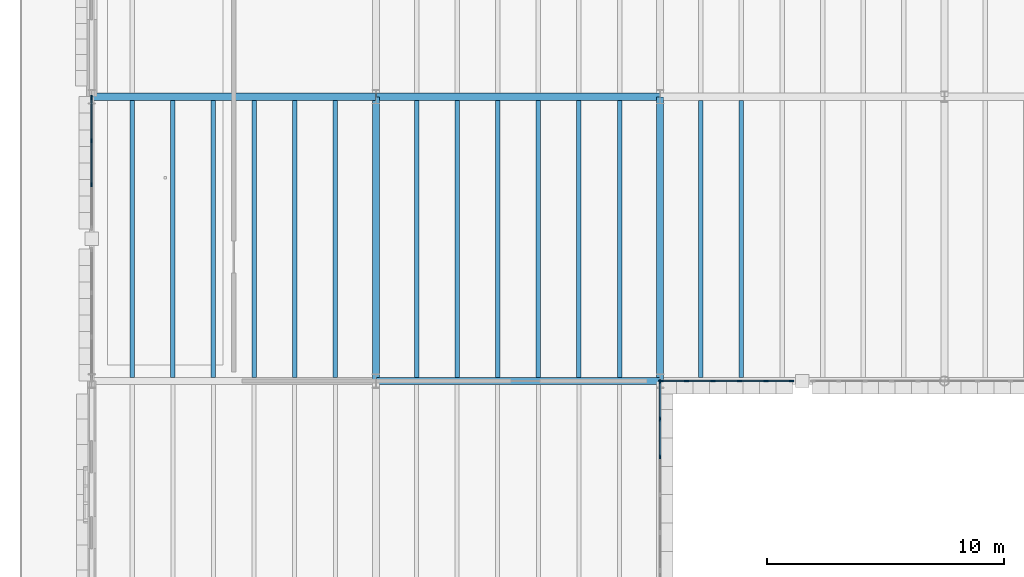
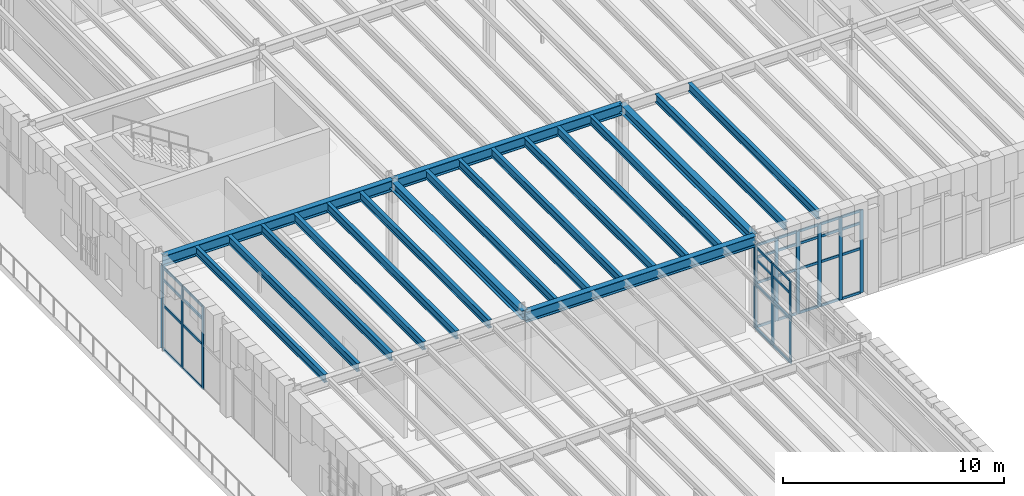
# One storey, part 18 of 103: 48 members, 19 beams, 3 elements without a shape of their own.
"""IFC4 building model written with IfcOpenShell, lengths in metres."""

from ifc_helpers import new_model, si_unit, direction, frame, origin, origin_2d, place, context, subcontext, project, spatial, rectangle, i_section, extrude, material, layer, layer_set, material_profile, profile_set, type_object, element, aggregate, save


model = new_model("IFC4")

# Units and contexts
model_context = context("Model", 3, precision=1e-05, world=origin(), true_north=direction((0.0, 1.0)))
body_context = subcontext(model_context, "Body", "Model", "MODEL_VIEW")
ifc_project = project(units=[si_unit("LENGTHUNIT", "METRE"), si_unit("AREAUNIT", "SQUARE_METRE"), si_unit("VOLUMEUNIT", "CUBIC_METRE"), si_unit("PLANEANGLEUNIT", "RADIAN"), si_unit("MASSUNIT", "GRAM", prefix="KILO")], contexts=[model_context])

# Site, building, storey
site_placement = place(None, origin())
site = spatial("IfcSite", under=ifc_project, at=site_placement, CompositionType="ELEMENT")
building_placement = place(site_placement, origin())
building = spatial("IfcBuilding", under=site, at=building_placement, Name="Zlatogorsky Bluff Art Gallery", CompositionType="ELEMENT")
storey_placement = place(building_placement, origin())
storey = spatial("IfcBuildingStorey", under=building, at=storey_placement, Name="L00", CompositionType="ELEMENT", Elevation=0.0)

# Beams
ifc_material_1 = material(Name="Steel S355", Category="steel")
ifc_material_profile_1 = material_profile(ifc_material_1, i_section(OverallWidth=0.300048828125, OverallDepth=0.590087890625, WebThickness=0.012939453125, FlangeThickness=0.02490234375, FilletRadius=0.027099609375, at=origin_2d()), Name="HEA 600")
ifc_profile_set_1 = profile_set([ifc_material_profile_1], Name="Steel S355")
beam_type_1 = type_object("IfcBeamType", Name="Beam BM-05 HEA 600", PredefinedType="BEAM", material=ifc_profile_set_1)
for number, where, z_axis, x_axis, name in (
    (1, (0.014892578125, 96.0, 4.844970703125), (1.0, 0.0, 0.0), (0.0, 1.0, 0.0), "Primary girder BM-05 L00 A-B/10"),
    (2, (12.014892578125, 84.0, 4.844970703125), (1.0, 0.0, 0.0), (0.0, 1.0, 0.0), "Primary girder BM-05 L00 B-C/9"),
    (3, (12.014892578125, 96.0, 4.844970703125), (1.0, 0.0, 0.0), (0.0, 1.0, 0.0), "Primary girder BM-05 L00 B-C/10"),
):
    element("IfcBeam", number, at=place(storey_placement, frame(where, z_axis=z_axis, x_axis=x_axis)), inside=storey, type_object=beam_type_1, Name=name, PredefinedType="BEAM", context=body_context, shape_type="SweptSolid", body=[
        extrude(i_section(OverallWidth=0.300048828125, OverallDepth=0.590087890625, WebThickness=0.012939453125, FlangeThickness=0.02490234375, FilletRadius=0.027099609375, at=origin_2d()), origin(), (0.0, 0.0, 1.0), 11.97021484375),
    ])
ifc_material_profile_2 = material_profile(ifc_material_1, i_section(OverallWidth=0.300048828125, OverallDepth=0.489990234375, WebThickness=0.011962890625, FlangeThickness=0.02294921875, FilletRadius=0.027099609375, at=origin_2d()), Name="HEA 500")
ifc_profile_set_2 = profile_set([ifc_material_profile_2], Name="Steel S355")
beam_type_2 = type_object("IfcBeamType", Name="Beam BM-07 HEA 500", PredefinedType="BEAM", material=ifc_profile_set_2)
for number, where, z_axis, x_axis, name in (
    (4, (12.0, 84.014892578125, 4.89501953125), (0.0, 1.0, 0.0), (-1.0, 0.0, 0.0), "Primary girder BM-07 L00 B/9-10"),
    (5, (24.0, 84.014892578125, 4.89501953125), (0.0, 1.0, 0.0), (-1.0, 0.0, 0.0), "Primary girder BM-07 L00 C/9-10"),
):
    element("IfcBeam", number, at=place(storey_placement, frame(where, z_axis=z_axis, x_axis=x_axis)), inside=storey, type_object=beam_type_2, Name=name, PredefinedType="BEAM", context=body_context, shape_type="SweptSolid", body=[
        extrude(i_section(OverallWidth=0.300048828125, OverallDepth=0.489990234375, WebThickness=0.011962890625, FlangeThickness=0.02294921875, FilletRadius=0.027099609375, at=origin_2d()), origin(), (0.0, 0.0, 1.0), 11.97021484375),
    ])
ifc_material_profile_3 = material_profile(ifc_material_1, i_section(OverallWidth=0.18994140625, OverallDepth=0.449951171875, WebThickness=0.009521484375, FlangeThickness=0.0146484375, FilletRadius=0.02099609375, at=origin_2d()), Name="IPE 450")
ifc_profile_set_3 = profile_set([ifc_material_profile_3], Name="Steel S355")
beam_type_3 = type_object("IfcBeamType", Name="Beam JS-06 IPE 450", PredefinedType="JOIST", material=ifc_profile_set_3)
for number, where, z_axis, x_axis, name in (
    (6, (1.71435546875, 84.14990234375, 4.9150390625), (0.0, 1.0, 0.0), (-1.0, 0.0, 0.0), "Composite floor joist JS-06 L00 00.08.1"),
    (7, (3.428466796875, 84.14990234375, 4.9150390625), (0.0, 1.0, 0.0), (-1.0, 0.0, 0.0), "Composite floor joist JS-06 L00 00.08.2"),
    (8, (5.142822265625, 84.14990234375, 4.9150390625), (0.0, 1.0, 0.0), (-1.0, 0.0, 0.0), "Composite floor joist JS-06 L00 00.08.3"),
    (9, (6.857177734375, 84.14990234375, 4.9150390625), (0.0, 1.0, 0.0), (-1.0, 0.0, 0.0), "Composite floor joist JS-06 L00 00.08.4"),
    (10, (8.571533203125, 84.14990234375, 4.9150390625), (0.0, 1.0, 0.0), (-1.0, 0.0, 0.0), "Composite floor joist JS-06 L00 00.08.5"),
    (11, (10.28564453125, 84.14990234375, 4.9150390625), (0.0, 1.0, 0.0), (-1.0, 0.0, 0.0), "Composite floor joist JS-06 L00 00.08.6"),
    (12, (13.71435546875, 84.14990234375, 4.9150390625), (0.0, 1.0, 0.0), (-1.0, 0.0, 0.0), "Composite floor joist JS-06 L00 01.08.1"),
    (13, (15.428466796875, 84.14990234375, 4.9150390625), (0.0, 1.0, 0.0), (-1.0, 0.0, 0.0), "Composite floor joist JS-06 L00 01.08.2"),
    (14, (17.142822265625, 84.14990234375, 4.9150390625), (0.0, 1.0, 0.0), (-1.0, 0.0, 0.0), "Composite floor joist JS-06 L00 01.08.3"),
    (15, (18.857177734375, 84.14990234375, 4.9150390625), (0.0, 1.0, 0.0), (-1.0, 0.0, 0.0), "Composite floor joist JS-06 L00 01.08.4"),
    (16, (20.571533203125, 84.14990234375, 4.9150390625), (0.0, 1.0, 0.0), (-1.0, 0.0, 0.0), "Composite floor joist JS-06 L00 01.08.5"),
    (17, (22.28564453125, 84.14990234375, 4.9150390625), (0.0, 1.0, 0.0), (-1.0, 0.0, 0.0), "Composite floor joist JS-06 L00 01.08.6"),
    (18, (25.71435546875, 84.14990234375, 4.9150390625), (0.0, 1.0, 0.0), (-1.0, 0.0, 0.0), "Composite floor joist JS-06 L00 02.08.1"),
    (19, (27.428466796875, 84.14990234375, 4.9150390625), (0.0, 1.0, 0.0), (-1.0, 0.0, 0.0), "Composite floor joist JS-06 L00 02.08.2"),
):
    element("IfcBeam", number, at=place(storey_placement, frame(where, z_axis=z_axis, x_axis=x_axis)), inside=storey, type_object=beam_type_3, Name=name, PredefinedType="JOIST", context=body_context, shape_type="SweptSolid", body=[
        extrude(i_section(OverallWidth=0.18994140625, OverallDepth=0.449951171875, WebThickness=0.009521484375, FlangeThickness=0.0146484375, FilletRadius=0.02099609375, at=origin_2d()), origin(), (0.0, 0.0, 1.0), 11.7001953125),
    ])

# Curtain wall, members
ifc_material_2 = material(Name="Anodised Bronze Aluminium and Low-Iron Triple Glazing", Category="aluminium")
ifc_layer_1 = layer(ifc_material_2, 0.219970703125)
ifc_layer_set_1 = layer_set([ifc_layer_1], Name="Curtain Wall CW-04")
curtain_wall_type_1 = type_object("IfcCurtainWallType", Name="Curtain Wall CW-04", PredefinedType="USERDEFINED", material=ifc_layer_set_1)
curtain_wall_1_placement = place(storey_placement, origin())
curtain_wall_1 = element("IfcCurtainWall", 20, at=curtain_wall_1_placement, inside=storey, type_object=curtain_wall_type_1, Name="Unitised curtain wall CW-04 L00 W 0.8-A", ObjectType="CURTAIN WALL", PredefinedType="USERDEFINED")
ifc_material_3 = material(Name="Anodised Bronze Aluminium", Category="aluminium")
ifc_material_profile_4 = material_profile(ifc_material_3, rectangle(XDim=0.06494140625, YDim=0.179931640625, at=origin_2d()), Name="ALU MULLION 65x180")
ifc_profile_set_4 = profile_set([ifc_material_profile_4], Name="Anodised Bronze Aluminium")
member_type_1 = type_object("IfcMemberType", Name="Curtain Mullion ML-01", PredefinedType="MULLION", material=ifc_profile_set_4)
member_1_placement = place(storey_placement, frame((0.0, 95.967529296875, 0.0), z_axis=(0.0, 0.0, 1.0), x_axis=(1.0, 0.0, 0.0)))
member_1 = element("IfcMember", 21, at=member_1_placement, type_object=member_type_1, Name="CW-04 mullion 1", PredefinedType="MULLION", context=body_context, shape_type="SweptSolid", body=[
    extrude(rectangle(XDim=0.06494140625, YDim=0.179931640625, at=origin_2d()), origin(), (0.0, 0.0, 1.0), 4.56005859375),
])
member_2_placement = place(storey_placement, frame((0.0, 94.139892578125, 0.0), z_axis=(0.0, 0.0, 1.0), x_axis=(1.0, 0.0, 0.0)))
member_2 = element("IfcMember", 22, at=member_2_placement, type_object=member_type_1, Name="CW-04 mullion 2", PredefinedType="MULLION", context=body_context, shape_type="SweptSolid", body=[
    extrude(rectangle(XDim=0.06494140625, YDim=0.179931640625, at=origin_2d()), origin(), (0.0, 0.0, 1.0), 4.56005859375),
])
member_3_placement = place(storey_placement, frame((0.0, 92.280029296875, 0.0), z_axis=(0.0, 0.0, 1.0), x_axis=(1.0, 0.0, 0.0)))
member_3 = element("IfcMember", 23, at=member_3_placement, type_object=member_type_1, Name="CW-04 mullion 3", PredefinedType="MULLION", context=body_context, shape_type="SweptSolid", body=[
    extrude(rectangle(XDim=0.06494140625, YDim=0.179931640625, at=origin_2d()), origin(), (0.0, 0.0, 1.0), 4.56005859375),
])

ifc_layer_2 = layer(ifc_material_2, 0.199951171875)
ifc_layer_set_2 = layer_set([ifc_layer_2], Name="Curtain Wall CW-02")
curtain_wall_type_2 = type_object("IfcCurtainWallType", Name="Curtain Wall CW-02", PredefinedType="USERDEFINED", material=ifc_layer_set_2)
curtain_wall_2_placement = place(storey_placement, origin())
curtain_wall_2 = element("IfcCurtainWall", 24, at=curtain_wall_2_placement, inside=storey, type_object=curtain_wall_type_2, Name="Unitised curtain wall CW-02 L00 E 1.7", ObjectType="CURTAIN WALL", PredefinedType="USERDEFINED")
member_4_placement = place(storey_placement, frame((24.0, 80.800048828125, 0.0), z_axis=(0.0, 0.0, 1.0), x_axis=(-1.0, 0.0, 0.0)))
member_4 = element("IfcMember", 25, at=member_4_placement, type_object=member_type_1, Name="CW-02 mullion 5", PredefinedType="MULLION", context=body_context, shape_type="SweptSolid", body=[
    extrude(rectangle(XDim=0.06494140625, YDim=0.179931640625, at=origin_2d()), origin(), (0.0, 0.0, 1.0), 4.56005859375),
])
member_5_placement = place(storey_placement, frame((24.0, 82.39990234375, 0.0), z_axis=(0.0, 0.0, 1.0), x_axis=(-1.0, 0.0, 0.0)))
member_5 = element("IfcMember", 26, at=member_5_placement, type_object=member_type_1, Name="CW-02 mullion 6", PredefinedType="MULLION", context=body_context, shape_type="SweptSolid", body=[
    extrude(rectangle(XDim=0.06494140625, YDim=0.179931640625, at=origin_2d()), origin(), (0.0, 0.0, 1.0), 4.56005859375),
])
member_6_placement = place(storey_placement, frame((24.0, 83.967529296875, 0.0), z_axis=(0.0, 0.0, 1.0), x_axis=(-1.0, 0.0, 0.0)))
member_6 = element("IfcMember", 27, at=member_6_placement, type_object=member_type_1, Name="CW-02 mullion 7", PredefinedType="MULLION", context=body_context, shape_type="SweptSolid", body=[
    extrude(rectangle(XDim=0.06494140625, YDim=0.179931640625, at=origin_2d()), origin(), (0.0, 0.0, 1.0), 4.56005859375),
])

ifc_layer_3 = layer(ifc_material_2, 0.179931640625)
ifc_layer_set_3 = layer_set([ifc_layer_3], Name="Curtain Wall CW-03")
curtain_wall_type_3 = type_object("IfcCurtainWallType", Name="Curtain Wall CW-03", PredefinedType="USERDEFINED", material=ifc_layer_set_3)
curtain_wall_3_placement = place(storey_placement, origin())
curtain_wall_3 = element("IfcCurtainWall", 28, at=curtain_wall_3_placement, inside=storey, type_object=curtain_wall_type_3, Name="Unitised curtain wall CW-03 L00 S 2.8-A", ObjectType="CURTAIN WALL", PredefinedType="USERDEFINED")
member_7_placement = place(storey_placement, frame((24.032470703125, 84.0, 0.0), z_axis=(0.0, 0.0, 1.0), x_axis=(0.0, 1.0, 0.0)))
member_7 = element("IfcMember", 29, at=member_7_placement, type_object=member_type_1, Name="CW-03 mullion 1", PredefinedType="MULLION", context=body_context, shape_type="SweptSolid", body=[
    extrude(rectangle(XDim=0.06494140625, YDim=0.179931640625, at=origin_2d()), origin(), (0.0, 0.0, 1.0), 4.56005859375),
])
member_8_placement = place(storey_placement, frame((25.115966796875, 84.0, 0.0), z_axis=(0.0, 0.0, 1.0), x_axis=(0.0, 1.0, 0.0)))
member_8 = element("IfcMember", 30, at=member_8_placement, type_object=member_type_1, Name="CW-03 mullion 2", PredefinedType="MULLION", context=body_context, shape_type="SweptSolid", body=[
    extrude(rectangle(XDim=0.06494140625, YDim=0.179931640625, at=origin_2d()), origin(), (0.0, 0.0, 1.0), 4.56005859375),
])
member_9_placement = place(storey_placement, frame((26.23193359375, 84.0, 0.0), z_axis=(0.0, 0.0, 1.0), x_axis=(0.0, 1.0, 0.0)))
member_9 = element("IfcMember", 31, at=member_9_placement, type_object=member_type_1, Name="CW-03 mullion 3", PredefinedType="MULLION", context=body_context, shape_type="SweptSolid", body=[
    extrude(rectangle(XDim=0.06494140625, YDim=0.179931640625, at=origin_2d()), origin(), (0.0, 0.0, 1.0), 4.56005859375),
])
member_10_placement = place(storey_placement, frame((27.347900390625, 84.0, 0.0), z_axis=(0.0, 0.0, 1.0), x_axis=(0.0, 1.0, 0.0)))
member_10 = element("IfcMember", 32, at=member_10_placement, type_object=member_type_1, Name="CW-03 mullion 4", PredefinedType="MULLION", context=body_context, shape_type="SweptSolid", body=[
    extrude(rectangle(XDim=0.06494140625, YDim=0.179931640625, at=origin_2d()), origin(), (0.0, 0.0, 1.0), 4.56005859375),
])
member_11_placement = place(storey_placement, frame((28.464111328125, 84.0, 0.0), z_axis=(0.0, 0.0, 1.0), x_axis=(0.0, 1.0, 0.0)))
member_11 = element("IfcMember", 33, at=member_11_placement, type_object=member_type_1, Name="CW-03 mullion 5", PredefinedType="MULLION", context=body_context, shape_type="SweptSolid", body=[
    extrude(rectangle(XDim=0.06494140625, YDim=0.179931640625, at=origin_2d()), origin(), (0.0, 0.0, 1.0), 4.56005859375),
])
member_12_placement = place(storey_placement, frame((29.547607421875, 84.0, 0.0), z_axis=(0.0, 0.0, 1.0), x_axis=(0.0, 1.0, 0.0)))
member_12 = element("IfcMember", 34, at=member_12_placement, type_object=member_type_1, Name="CW-03 mullion 6", PredefinedType="MULLION", context=body_context, shape_type="SweptSolid", body=[
    extrude(rectangle(XDim=0.06494140625, YDim=0.179931640625, at=origin_2d()), origin(), (0.0, 0.0, 1.0), 4.56005859375),
])

# Member
ifc_material_profile_5 = material_profile(ifc_material_3, rectangle(XDim=0.06494140625, YDim=0.139892578125, at=origin_2d()), Name="ALU TRANSOM 65x140")
ifc_profile_set_5 = profile_set([ifc_material_profile_5], Name="Anodised Bronze Aluminium")
member_type_2 = type_object("IfcMemberType", Name="Curtain Transom TR-01", PredefinedType="USERDEFINED", material=ifc_profile_set_5)
member_13_placement = place(storey_placement, frame((0.0, 95.93505859375, 0.032470703125), z_axis=(0.0, -1.0, 0.0), x_axis=(1.0, 0.0, 0.0)))
member_13 = element("IfcMember", 35, at=member_13_placement, type_object=member_type_2, Name="CW-04 transom 1.1", ObjectType="TRANSOM", PredefinedType="USERDEFINED", context=body_context, shape_type="SweptSolid", body=[
    extrude(rectangle(XDim=0.06494140625, YDim=0.139892578125, at=origin_2d()), origin(), (0.0, 0.0, 1.0), 1.762451171875),
])

member_14_placement = place(storey_placement, frame((0.0, 95.93505859375, 2.449951171875), z_axis=(0.0, -1.0, 0.0), x_axis=(1.0, 0.0, 0.0)))
member_14 = element("IfcMember", 36, at=member_14_placement, type_object=member_type_2, Name="CW-04 transom 1.2", ObjectType="TRANSOM", PredefinedType="USERDEFINED", context=body_context, shape_type="SweptSolid", body=[
    extrude(rectangle(XDim=0.06494140625, YDim=0.139892578125, at=origin_2d()), origin(), (0.0, 0.0, 1.0), 1.762451171875),
])

member_15_placement = place(storey_placement, frame((0.0, 95.93505859375, 3.85009765625), z_axis=(0.0, -1.0, 0.0), x_axis=(1.0, 0.0, 0.0)))
member_15 = element("IfcMember", 37, at=member_15_placement, type_object=member_type_2, Name="CW-04 transom 1.3", ObjectType="TRANSOM", PredefinedType="USERDEFINED", context=body_context, shape_type="SweptSolid", body=[
    extrude(rectangle(XDim=0.06494140625, YDim=0.139892578125, at=origin_2d()), origin(), (0.0, 0.0, 1.0), 1.762451171875),
])

member_16_placement = place(storey_placement, frame((0.0, 95.93505859375, 4.527587890625), z_axis=(0.0, -1.0, 0.0), x_axis=(1.0, 0.0, 0.0)))
member_16 = element("IfcMember", 38, at=member_16_placement, type_object=member_type_2, Name="CW-04 transom 1.4", ObjectType="TRANSOM", PredefinedType="USERDEFINED", context=body_context, shape_type="SweptSolid", body=[
    extrude(rectangle(XDim=0.06494140625, YDim=0.139892578125, at=origin_2d()), origin(), (0.0, 0.0, 1.0), 1.762451171875),
])

member_17_placement = place(storey_placement, frame((0.0, 94.107421875, 0.032470703125), z_axis=(0.0, -1.0, 0.0), x_axis=(1.0, 0.0, 0.0)))
member_17 = element("IfcMember", 39, at=member_17_placement, type_object=member_type_2, Name="CW-04 transom 2.1", ObjectType="TRANSOM", PredefinedType="USERDEFINED", context=body_context, shape_type="SweptSolid", body=[
    extrude(rectangle(XDim=0.06494140625, YDim=0.139892578125, at=origin_2d()), origin(), (0.0, 0.0, 1.0), 1.794921875),
])

member_18_placement = place(storey_placement, frame((0.0, 94.107421875, 2.449951171875), z_axis=(0.0, -1.0, 0.0), x_axis=(1.0, 0.0, 0.0)))
member_18 = element("IfcMember", 40, at=member_18_placement, type_object=member_type_2, Name="CW-04 transom 2.2", ObjectType="TRANSOM", PredefinedType="USERDEFINED", context=body_context, shape_type="SweptSolid", body=[
    extrude(rectangle(XDim=0.06494140625, YDim=0.139892578125, at=origin_2d()), origin(), (0.0, 0.0, 1.0), 1.794921875),
])

member_19_placement = place(storey_placement, frame((0.0, 94.107421875, 3.85009765625), z_axis=(0.0, -1.0, 0.0), x_axis=(1.0, 0.0, 0.0)))
member_19 = element("IfcMember", 41, at=member_19_placement, type_object=member_type_2, Name="CW-04 transom 2.3", ObjectType="TRANSOM", PredefinedType="USERDEFINED", context=body_context, shape_type="SweptSolid", body=[
    extrude(rectangle(XDim=0.06494140625, YDim=0.139892578125, at=origin_2d()), origin(), (0.0, 0.0, 1.0), 1.794921875),
])

member_20_placement = place(storey_placement, frame((0.0, 94.107421875, 4.527587890625), z_axis=(0.0, -1.0, 0.0), x_axis=(1.0, 0.0, 0.0)))
member_20 = element("IfcMember", 42, at=member_20_placement, type_object=member_type_2, Name="CW-04 transom 2.4", ObjectType="TRANSOM", PredefinedType="USERDEFINED", context=body_context, shape_type="SweptSolid", body=[
    extrude(rectangle(XDim=0.06494140625, YDim=0.139892578125, at=origin_2d()), origin(), (0.0, 0.0, 1.0), 1.794921875),
])

aggregate(curtain_wall_1, [member_1, member_2, member_3, member_13, member_14, member_15, member_16, member_17, member_18, member_19, member_20])

member_21_placement = place(storey_placement, frame((24.0, 80.83251953125, 0.032470703125), z_axis=(0.0, 1.0, 0.0), x_axis=(-1.0, 0.0, 0.0)))
member_21 = element("IfcMember", 43, at=member_21_placement, type_object=member_type_2, Name="CW-02 transom 5.1", ObjectType="TRANSOM", PredefinedType="USERDEFINED", context=body_context, shape_type="SweptSolid", body=[
    extrude(rectangle(XDim=0.06494140625, YDim=0.139892578125, at=origin_2d()), origin(), (0.0, 0.0, 1.0), 1.534912109375),
])

member_22_placement = place(storey_placement, frame((24.0, 80.83251953125, 2.449951171875), z_axis=(0.0, 1.0, 0.0), x_axis=(-1.0, 0.0, 0.0)))
member_22 = element("IfcMember", 44, at=member_22_placement, type_object=member_type_2, Name="CW-02 transom 5.2", ObjectType="TRANSOM", PredefinedType="USERDEFINED", context=body_context, shape_type="SweptSolid", body=[
    extrude(rectangle(XDim=0.06494140625, YDim=0.139892578125, at=origin_2d()), origin(), (0.0, 0.0, 1.0), 1.534912109375),
])

member_23_placement = place(storey_placement, frame((24.0, 80.83251953125, 3.85009765625), z_axis=(0.0, 1.0, 0.0), x_axis=(-1.0, 0.0, 0.0)))
member_23 = element("IfcMember", 45, at=member_23_placement, type_object=member_type_2, Name="CW-02 transom 5.3", ObjectType="TRANSOM", PredefinedType="USERDEFINED", context=body_context, shape_type="SweptSolid", body=[
    extrude(rectangle(XDim=0.06494140625, YDim=0.139892578125, at=origin_2d()), origin(), (0.0, 0.0, 1.0), 1.534912109375),
])

member_24_placement = place(storey_placement, frame((24.0, 80.83251953125, 4.527587890625), z_axis=(0.0, 1.0, 0.0), x_axis=(-1.0, 0.0, 0.0)))
member_24 = element("IfcMember", 46, at=member_24_placement, type_object=member_type_2, Name="CW-02 transom 5.4", ObjectType="TRANSOM", PredefinedType="USERDEFINED", context=body_context, shape_type="SweptSolid", body=[
    extrude(rectangle(XDim=0.06494140625, YDim=0.139892578125, at=origin_2d()), origin(), (0.0, 0.0, 1.0), 1.534912109375),
])

member_25_placement = place(storey_placement, frame((24.0, 82.4326171875, 0.032470703125), z_axis=(0.0, 1.0, 0.0), x_axis=(-1.0, 0.0, 0.0)))
member_25 = element("IfcMember", 47, at=member_25_placement, type_object=member_type_2, Name="CW-02 transom 6.1", ObjectType="TRANSOM", PredefinedType="USERDEFINED", context=body_context, shape_type="SweptSolid", body=[
    extrude(rectangle(XDim=0.06494140625, YDim=0.139892578125, at=origin_2d()), origin(), (0.0, 0.0, 1.0), 1.50244140625),
])

member_26_placement = place(storey_placement, frame((24.0, 82.4326171875, 2.449951171875), z_axis=(0.0, 1.0, 0.0), x_axis=(-1.0, 0.0, 0.0)))
member_26 = element("IfcMember", 48, at=member_26_placement, type_object=member_type_2, Name="CW-02 transom 6.2", ObjectType="TRANSOM", PredefinedType="USERDEFINED", context=body_context, shape_type="SweptSolid", body=[
    extrude(rectangle(XDim=0.06494140625, YDim=0.139892578125, at=origin_2d()), origin(), (0.0, 0.0, 1.0), 1.50244140625),
])

member_27_placement = place(storey_placement, frame((24.0, 82.4326171875, 3.85009765625), z_axis=(0.0, 1.0, 0.0), x_axis=(-1.0, 0.0, 0.0)))
member_27 = element("IfcMember", 49, at=member_27_placement, type_object=member_type_2, Name="CW-02 transom 6.3", ObjectType="TRANSOM", PredefinedType="USERDEFINED", context=body_context, shape_type="SweptSolid", body=[
    extrude(rectangle(XDim=0.06494140625, YDim=0.139892578125, at=origin_2d()), origin(), (0.0, 0.0, 1.0), 1.50244140625),
])

member_28_placement = place(storey_placement, frame((24.0, 82.4326171875, 4.527587890625), z_axis=(0.0, 1.0, 0.0), x_axis=(-1.0, 0.0, 0.0)))
member_28 = element("IfcMember", 50, at=member_28_placement, type_object=member_type_2, Name="CW-02 transom 6.4", ObjectType="TRANSOM", PredefinedType="USERDEFINED", context=body_context, shape_type="SweptSolid", body=[
    extrude(rectangle(XDim=0.06494140625, YDim=0.139892578125, at=origin_2d()), origin(), (0.0, 0.0, 1.0), 1.50244140625),
])

aggregate(curtain_wall_2, [member_4, member_5, member_6, member_21, member_22, member_23, member_24, member_25, member_26, member_27, member_28])

member_29_placement = place(storey_placement, frame((24.06494140625, 84.0, 0.032470703125), z_axis=(1.0, 0.0, 0.0), x_axis=(0.0, 1.0, 0.0)))
member_29 = element("IfcMember", 51, at=member_29_placement, type_object=member_type_2, Name="CW-03 transom 1.1", ObjectType="TRANSOM", PredefinedType="USERDEFINED", context=body_context, shape_type="SweptSolid", body=[
    extrude(rectangle(XDim=0.06494140625, YDim=0.139892578125, at=origin_2d()), origin(), (0.0, 0.0, 1.0), 1.0185546875),
])

member_30_placement = place(storey_placement, frame((24.06494140625, 84.0, 2.449951171875), z_axis=(1.0, 0.0, 0.0), x_axis=(0.0, 1.0, 0.0)))
member_30 = element("IfcMember", 52, at=member_30_placement, type_object=member_type_2, Name="CW-03 transom 1.2", ObjectType="TRANSOM", PredefinedType="USERDEFINED", context=body_context, shape_type="SweptSolid", body=[
    extrude(rectangle(XDim=0.06494140625, YDim=0.139892578125, at=origin_2d()), origin(), (0.0, 0.0, 1.0), 1.0185546875),
])

member_31_placement = place(storey_placement, frame((24.06494140625, 84.0, 3.85009765625), z_axis=(1.0, 0.0, 0.0), x_axis=(0.0, 1.0, 0.0)))
member_31 = element("IfcMember", 53, at=member_31_placement, type_object=member_type_2, Name="CW-03 transom 1.3", ObjectType="TRANSOM", PredefinedType="USERDEFINED", context=body_context, shape_type="SweptSolid", body=[
    extrude(rectangle(XDim=0.06494140625, YDim=0.139892578125, at=origin_2d()), origin(), (0.0, 0.0, 1.0), 1.0185546875),
])

member_32_placement = place(storey_placement, frame((24.06494140625, 84.0, 4.527587890625), z_axis=(1.0, 0.0, 0.0), x_axis=(0.0, 1.0, 0.0)))
member_32 = element("IfcMember", 54, at=member_32_placement, type_object=member_type_2, Name="CW-03 transom 1.4", ObjectType="TRANSOM", PredefinedType="USERDEFINED", context=body_context, shape_type="SweptSolid", body=[
    extrude(rectangle(XDim=0.06494140625, YDim=0.139892578125, at=origin_2d()), origin(), (0.0, 0.0, 1.0), 1.0185546875),
])

member_33_placement = place(storey_placement, frame((25.1484375, 84.0, 0.032470703125), z_axis=(1.0, 0.0, 0.0), x_axis=(0.0, 1.0, 0.0)))
member_33 = element("IfcMember", 55, at=member_33_placement, type_object=member_type_2, Name="CW-03 transom 2.1", ObjectType="TRANSOM", PredefinedType="USERDEFINED", context=body_context, shape_type="SweptSolid", body=[
    extrude(rectangle(XDim=0.06494140625, YDim=0.139892578125, at=origin_2d()), origin(), (0.0, 0.0, 1.0), 1.051025390625),
])

member_34_placement = place(storey_placement, frame((25.1484375, 84.0, 2.449951171875), z_axis=(1.0, 0.0, 0.0), x_axis=(0.0, 1.0, 0.0)))
member_34 = element("IfcMember", 56, at=member_34_placement, type_object=member_type_2, Name="CW-03 transom 2.2", ObjectType="TRANSOM", PredefinedType="USERDEFINED", context=body_context, shape_type="SweptSolid", body=[
    extrude(rectangle(XDim=0.06494140625, YDim=0.139892578125, at=origin_2d()), origin(), (0.0, 0.0, 1.0), 1.051025390625),
])

member_35_placement = place(storey_placement, frame((25.1484375, 84.0, 3.85009765625), z_axis=(1.0, 0.0, 0.0), x_axis=(0.0, 1.0, 0.0)))
member_35 = element("IfcMember", 57, at=member_35_placement, type_object=member_type_2, Name="CW-03 transom 2.3", ObjectType="TRANSOM", PredefinedType="USERDEFINED", context=body_context, shape_type="SweptSolid", body=[
    extrude(rectangle(XDim=0.06494140625, YDim=0.139892578125, at=origin_2d()), origin(), (0.0, 0.0, 1.0), 1.051025390625),
])

member_36_placement = place(storey_placement, frame((25.1484375, 84.0, 4.527587890625), z_axis=(1.0, 0.0, 0.0), x_axis=(0.0, 1.0, 0.0)))
member_36 = element("IfcMember", 58, at=member_36_placement, type_object=member_type_2, Name="CW-03 transom 2.4", ObjectType="TRANSOM", PredefinedType="USERDEFINED", context=body_context, shape_type="SweptSolid", body=[
    extrude(rectangle(XDim=0.06494140625, YDim=0.139892578125, at=origin_2d()), origin(), (0.0, 0.0, 1.0), 1.051025390625),
])

member_37_placement = place(storey_placement, frame((26.264404296875, 84.0, 0.032470703125), z_axis=(1.0, 0.0, 0.0), x_axis=(0.0, 1.0, 0.0)))
member_37 = element("IfcMember", 59, at=member_37_placement, type_object=member_type_2, Name="CW-03 transom 3.1", ObjectType="TRANSOM", PredefinedType="USERDEFINED", context=body_context, shape_type="SweptSolid", body=[
    extrude(rectangle(XDim=0.06494140625, YDim=0.139892578125, at=origin_2d()), origin(), (0.0, 0.0, 1.0), 1.051025390625),
])

member_38_placement = place(storey_placement, frame((26.264404296875, 84.0, 2.449951171875), z_axis=(1.0, 0.0, 0.0), x_axis=(0.0, 1.0, 0.0)))
member_38 = element("IfcMember", 60, at=member_38_placement, type_object=member_type_2, Name="CW-03 transom 3.2", ObjectType="TRANSOM", PredefinedType="USERDEFINED", context=body_context, shape_type="SweptSolid", body=[
    extrude(rectangle(XDim=0.06494140625, YDim=0.139892578125, at=origin_2d()), origin(), (0.0, 0.0, 1.0), 1.051025390625),
])

member_39_placement = place(storey_placement, frame((26.264404296875, 84.0, 3.85009765625), z_axis=(1.0, 0.0, 0.0), x_axis=(0.0, 1.0, 0.0)))
member_39 = element("IfcMember", 61, at=member_39_placement, type_object=member_type_2, Name="CW-03 transom 3.3", ObjectType="TRANSOM", PredefinedType="USERDEFINED", context=body_context, shape_type="SweptSolid", body=[
    extrude(rectangle(XDim=0.06494140625, YDim=0.139892578125, at=origin_2d()), origin(), (0.0, 0.0, 1.0), 1.051025390625),
])

member_40_placement = place(storey_placement, frame((26.264404296875, 84.0, 4.527587890625), z_axis=(1.0, 0.0, 0.0), x_axis=(0.0, 1.0, 0.0)))
member_40 = element("IfcMember", 62, at=member_40_placement, type_object=member_type_2, Name="CW-03 transom 3.4", ObjectType="TRANSOM", PredefinedType="USERDEFINED", context=body_context, shape_type="SweptSolid", body=[
    extrude(rectangle(XDim=0.06494140625, YDim=0.139892578125, at=origin_2d()), origin(), (0.0, 0.0, 1.0), 1.051025390625),
])

member_41_placement = place(storey_placement, frame((27.380615234375, 84.0, 0.032470703125), z_axis=(1.0, 0.0, 0.0), x_axis=(0.0, 1.0, 0.0)))
member_41 = element("IfcMember", 63, at=member_41_placement, type_object=member_type_2, Name="CW-03 transom 4.1", ObjectType="TRANSOM", PredefinedType="USERDEFINED", context=body_context, shape_type="SweptSolid", body=[
    extrude(rectangle(XDim=0.06494140625, YDim=0.139892578125, at=origin_2d()), origin(), (0.0, 0.0, 1.0), 1.05078125),
])

member_42_placement = place(storey_placement, frame((27.380615234375, 84.0, 2.449951171875), z_axis=(1.0, 0.0, 0.0), x_axis=(0.0, 1.0, 0.0)))
member_42 = element("IfcMember", 64, at=member_42_placement, type_object=member_type_2, Name="CW-03 transom 4.2", ObjectType="TRANSOM", PredefinedType="USERDEFINED", context=body_context, shape_type="SweptSolid", body=[
    extrude(rectangle(XDim=0.06494140625, YDim=0.139892578125, at=origin_2d()), origin(), (0.0, 0.0, 1.0), 1.05078125),
])

member_43_placement = place(storey_placement, frame((27.380615234375, 84.0, 3.85009765625), z_axis=(1.0, 0.0, 0.0), x_axis=(0.0, 1.0, 0.0)))
member_43 = element("IfcMember", 65, at=member_43_placement, type_object=member_type_2, Name="CW-03 transom 4.3", ObjectType="TRANSOM", PredefinedType="USERDEFINED", context=body_context, shape_type="SweptSolid", body=[
    extrude(rectangle(XDim=0.06494140625, YDim=0.139892578125, at=origin_2d()), origin(), (0.0, 0.0, 1.0), 1.05078125),
])

member_44_placement = place(storey_placement, frame((27.380615234375, 84.0, 4.527587890625), z_axis=(1.0, 0.0, 0.0), x_axis=(0.0, 1.0, 0.0)))
member_44 = element("IfcMember", 66, at=member_44_placement, type_object=member_type_2, Name="CW-03 transom 4.4", ObjectType="TRANSOM", PredefinedType="USERDEFINED", context=body_context, shape_type="SweptSolid", body=[
    extrude(rectangle(XDim=0.06494140625, YDim=0.139892578125, at=origin_2d()), origin(), (0.0, 0.0, 1.0), 1.05078125),
])

member_45_placement = place(storey_placement, frame((28.49658203125, 84.0, 0.032470703125), z_axis=(1.0, 0.0, 0.0), x_axis=(0.0, 1.0, 0.0)))
member_45 = element("IfcMember", 67, at=member_45_placement, type_object=member_type_2, Name="CW-03 transom 5.1", ObjectType="TRANSOM", PredefinedType="USERDEFINED", context=body_context, shape_type="SweptSolid", body=[
    extrude(rectangle(XDim=0.06494140625, YDim=0.139892578125, at=origin_2d()), origin(), (0.0, 0.0, 1.0), 1.018310546875),
])

member_46_placement = place(storey_placement, frame((28.49658203125, 84.0, 2.449951171875), z_axis=(1.0, 0.0, 0.0), x_axis=(0.0, 1.0, 0.0)))
member_46 = element("IfcMember", 68, at=member_46_placement, type_object=member_type_2, Name="CW-03 transom 5.2", ObjectType="TRANSOM", PredefinedType="USERDEFINED", context=body_context, shape_type="SweptSolid", body=[
    extrude(rectangle(XDim=0.06494140625, YDim=0.139892578125, at=origin_2d()), origin(), (0.0, 0.0, 1.0), 1.018310546875),
])

member_47_placement = place(storey_placement, frame((28.49658203125, 84.0, 3.85009765625), z_axis=(1.0, 0.0, 0.0), x_axis=(0.0, 1.0, 0.0)))
member_47 = element("IfcMember", 69, at=member_47_placement, type_object=member_type_2, Name="CW-03 transom 5.3", ObjectType="TRANSOM", PredefinedType="USERDEFINED", context=body_context, shape_type="SweptSolid", body=[
    extrude(rectangle(XDim=0.06494140625, YDim=0.139892578125, at=origin_2d()), origin(), (0.0, 0.0, 1.0), 1.018310546875),
])

member_48_placement = place(storey_placement, frame((28.49658203125, 84.0, 4.527587890625), z_axis=(1.0, 0.0, 0.0), x_axis=(0.0, 1.0, 0.0)))
member_48 = element("IfcMember", 70, at=member_48_placement, type_object=member_type_2, Name="CW-03 transom 5.4", ObjectType="TRANSOM", PredefinedType="USERDEFINED", context=body_context, shape_type="SweptSolid", body=[
    extrude(rectangle(XDim=0.06494140625, YDim=0.139892578125, at=origin_2d()), origin(), (0.0, 0.0, 1.0), 1.018310546875),
])

aggregate(curtain_wall_3, [member_7, member_8, member_9, member_10, member_11, member_12, member_29, member_30, member_31, member_32, member_33, member_34, member_35, member_36, member_37, member_38, member_39, member_40, member_41, member_42, member_43, member_44, member_45, member_46, member_47, member_48])

save(model, "model.ifc")
